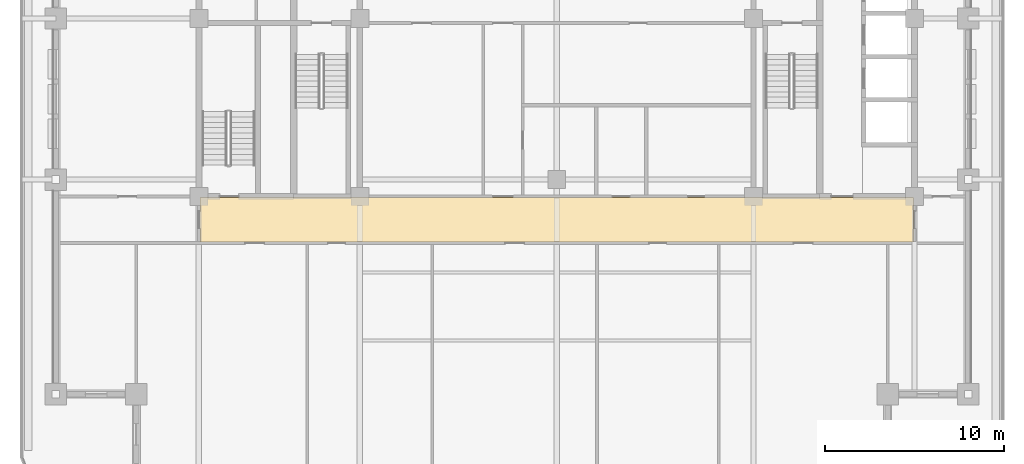
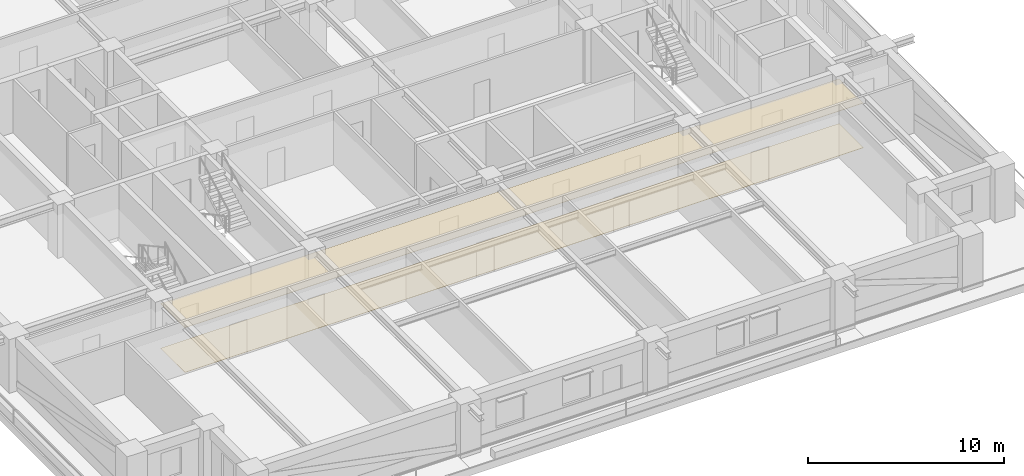
# One storey, part 12 of 15: 2 coverings.
"""IFC4 building model written with IfcOpenShell, lengths in metres."""

from ifc_helpers import new_model, si_unit, direction, frame, origin, place, context, subcontext, project, spatial, polyline, outline, extrude, material, layer, layer_set, type_object, element, save


model = new_model("IFC4")

# Units and contexts
model_context = context("Model", 3, precision=1e-05, world=origin(), true_north=direction((0.0, 1.0)))
body_context = subcontext(model_context, "Body", "Model", "MODEL_VIEW")
ifc_project = project(units=[si_unit("LENGTHUNIT", "METRE"), si_unit("AREAUNIT", "SQUARE_METRE"), si_unit("VOLUMEUNIT", "CUBIC_METRE"), si_unit("PLANEANGLEUNIT", "RADIAN"), si_unit("MASSUNIT", "GRAM", prefix="KILO")], contexts=[model_context])

# Site, building, storey
site_placement = place(None, origin())
site = spatial("IfcSite", under=ifc_project, at=site_placement, CompositionType="ELEMENT")
building_placement = place(site_placement, origin())
building = spatial("IfcBuilding", under=site, at=building_placement, Name="Zulmaris Gate Convention Tower", CompositionType="ELEMENT")
storey_placement = place(building_placement, frame((0.0, 0.0, 132.059814453125)))
storey = spatial("IfcBuildingStorey", under=building, at=storey_placement, Name="L33", CompositionType="ELEMENT", Elevation=132.059814453125)

# Coverings
ifc_material_1 = material(Name="Mineral Fibre Acoustic Ceiling Tile")
ifc_layer_1 = layer(ifc_material_1, 0.02001953125, Name="Mineral Fibre Acoustic Ceiling Tile")
ifc_layer_set_1 = layer_set([ifc_layer_1], Name="Mineral Fibre Acoustic Ceiling Tile")
covering_type_1 = type_object("IfcCoveringType", Name="CLG-ACOUSTIC-600", PredefinedType="CEILING", material=ifc_layer_set_1)
covering_1_placement = place(storey_placement, frame((0.0, 0.0, 2.778076171875)))
element("IfcCovering", 1, at=covering_1_placement, inside=storey, type_object=covering_type_1, Name="CLG-L33-R33", PredefinedType="CEILING", context=body_context, shape_type="SweptSolid", body=[
    extrude(outline(polyline([(-19.93994140625, -12.489990234375), (19.93994140625, -12.489990234375), (19.93994140625, -10.010009765625), (-19.93994140625, -10.010009765625), (-19.93994140625, -12.489990234375)])), origin(), (0.0, 0.0, 1.0), 0.02001953125),
])
ifc_material_2 = material(Name="Woven Acoustic Wool Carpet Tile")
ifc_layer_2 = layer(ifc_material_2, 0.02001953125, Name="Woven Acoustic Wool Carpet Tile")
ifc_layer_set_2 = layer_set([ifc_layer_2], Name="Woven Acoustic Wool Carpet Tile")
covering_type_2 = type_object("IfcCoveringType", Name="FLR-CARPET-12", PredefinedType="FLOORING", material=ifc_layer_set_2)
covering_2_placement = place(storey_placement, origin())
element("IfcCovering", 2, at=covering_2_placement, inside=storey, type_object=covering_type_2, Name="FLR-L33-R33", PredefinedType="FLOORING", context=body_context, shape_type="SweptSolid", body=[
    extrude(outline(polyline([(-19.93994140625, -12.489990234375), (19.93994140625, -12.489990234375), (19.93994140625, -10.010009765625), (-19.93994140625, -10.010009765625), (-19.93994140625, -12.489990234375)])), origin(), (0.0, 0.0, 1.0), 0.02001953125),
])

save(model, "model.ifc")
